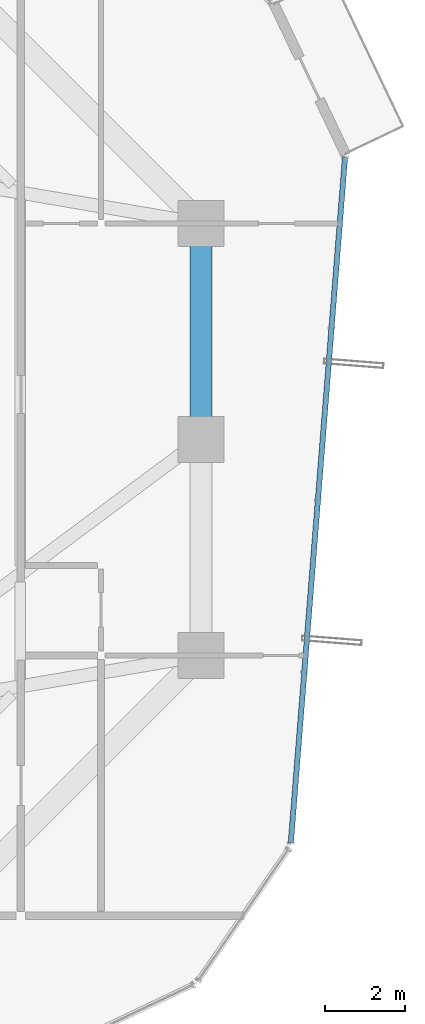
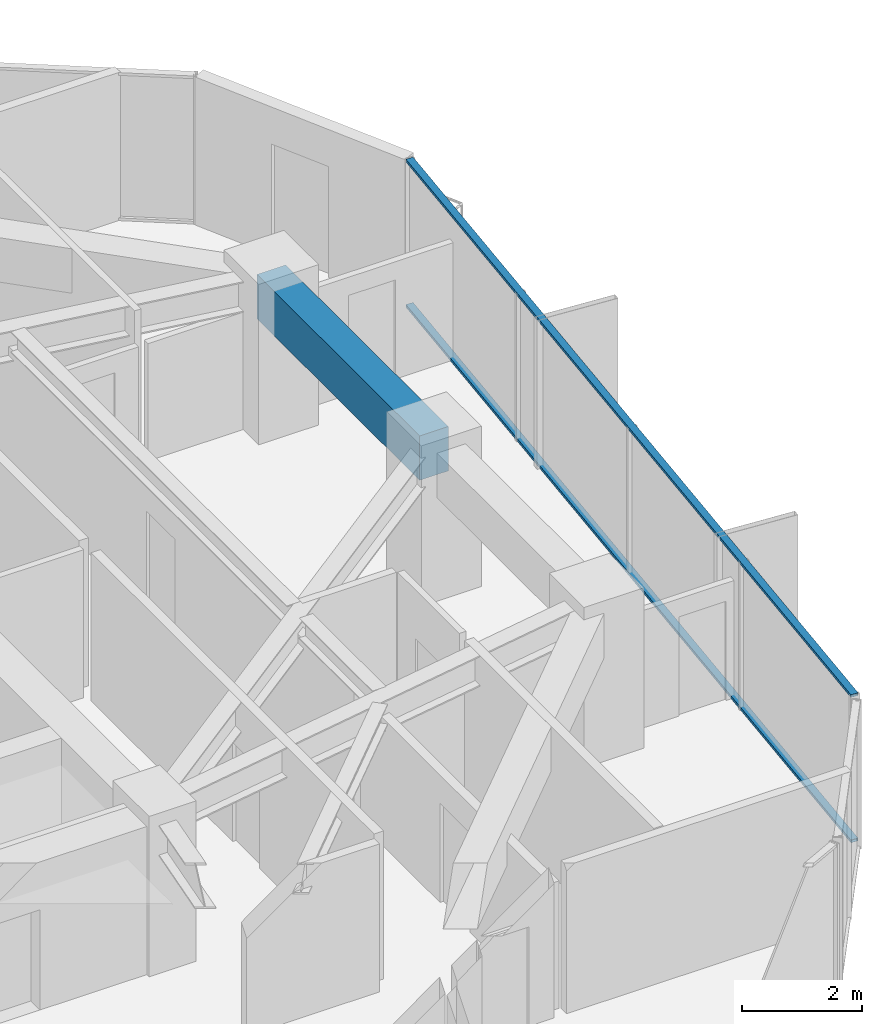
# One storey, part 14 of 30: 2 members, 1 beam, 1 element without a shape of its own.
"""IFC4 building model written with IfcOpenShell, lengths in metres."""

import ifcopenshell
import ifcopenshell.guid

model = None  # the IFC model being written
_history = None  # IfcOwnerHistory: only IFC2X3 demands one
_inside = {}  # id of a spatial element -> (the spatial element, [elements in it])
_under = {}  # id of a project, library or spatial element -> (it, [spatial elements below it])
_declared = {}  # id of a project -> (the project, [libraries it declares])
_typed = {}  # id of a type object -> (the type object, [elements of that type])
_made_of = {}  # id of a material, layer set ... -> (it, [elements and type objects made of it])


def new_model(schema):
    """Start an empty IFC model of exactly this schema.

    Asked for "IFC4X3", IfcOpenShell would pick the latest addendum, in which some entities
    have other attributes; the version numbers below select the first issue.
    IFC2X3 requires an IfcOwnerHistory on every rooted entity: one is made here for all.
    """
    global model, _history
    if schema == "IFC4X3":
        model = ifcopenshell.file(schema_version=(4, 3, 0, 0))
    else:
        model = ifcopenshell.file(schema=schema)
    _inside.clear()
    _under.clear()
    _declared.clear()
    _typed.clear()
    _made_of.clear()
    _history = None
    if model.schema == "IFC2X3":
        org = make("IfcOrganization", Name="unknown")
        user = make(
            "IfcPersonAndOrganization",
            ThePerson=make("IfcPerson", FamilyName="unknown"),
            TheOrganization=org,
        )
        app = make(
            "IfcApplication",
            ApplicationDeveloper=org,
            Version="unknown",
            ApplicationFullName="unknown",
            ApplicationIdentifier="unknown",
        )
        _history = make(
            "IfcOwnerHistory",
            OwningUser=user,
            OwningApplication=app,
            ChangeAction="ADDED",
            CreationDate=0,
        )
    return model


def make(cls, **values):
    """One entity of the class cls with the attributes given. An attribute that is None is left unset."""
    return model.create_entity(
        cls, **{name: value for name, value in values.items() if value is not None}
    )


def rooted(cls, **values):
    """An entity with a GlobalId (a new one), such as an element, a storey or a relation."""
    return make(cls, GlobalId=ifcopenshell.guid.new(), OwnerHistory=_history, **values)


def si_unit(unit_type, name, prefix=None):
    """IfcSIUnit, for example si_unit("LENGTHUNIT", "METRE", prefix="MILLI")."""
    return make("IfcSIUnit", UnitType=unit_type, Prefix=prefix, Name=name)


def assignment(units):
    """IfcUnitAssignment: the units of a project."""
    return None if units is None else make("IfcUnitAssignment", Units=units)


def point(xyz):
    """IfcCartesianPoint."""
    return None if xyz is None else make("IfcCartesianPoint", Coordinates=xyz)


def direction(xyz):
    """IfcDirection."""
    return None if xyz is None else make("IfcDirection", DirectionRatios=xyz)


def frame(location, z_axis=None, x_axis=None):
    """IfcAxis2Placement3D, a coordinate frame: its origin and axes. An axis left out is left unset."""
    return make(
        "IfcAxis2Placement3D",
        Location=point(location),
        Axis=direction(z_axis),
        RefDirection=direction(x_axis),
    )


def frame_2d(location, x_axis=None):
    """IfcAxis2Placement2D, a coordinate frame in the plane: its origin and x axis."""
    return make(
        "IfcAxis2Placement2D", Location=point(location), RefDirection=direction(x_axis)
    )


def origin():
    """The frame at (0, 0, 0) with its axes left unset."""
    return frame((0.0, 0.0, 0.0))


def origin_2d():
    """The frame at (0, 0) in the plane with its x axis left unset."""
    return frame_2d((0.0, 0.0))


def place(relative_to, where):
    """IfcLocalPlacement: puts the frame where relative to a parent placement (None: the world)."""
    return make(
        "IfcLocalPlacement", PlacementRelTo=relative_to, RelativePlacement=where
    )


def context(
    kind, dimensions, precision=None, world=None, true_north=None, identifier=None
):
    """IfcGeometricRepresentationContext, for example the 3D "Model" context."""
    return make(
        "IfcGeometricRepresentationContext",
        ContextIdentifier=identifier,
        ContextType=kind,
        CoordinateSpaceDimension=dimensions,
        Precision=precision,
        WorldCoordinateSystem=world,
        TrueNorth=true_north,
    )


def subcontext(parent, identifier, kind, view, scale=None):
    """IfcGeometricRepresentationSubContext, for example "Body" below "Model"."""
    return make(
        "IfcGeometricRepresentationSubContext",
        ContextIdentifier=identifier,
        ContextType=kind,
        ParentContext=parent,
        TargetScale=scale,
        TargetView=view,
    )


def project(units=None, contexts=None):
    """IfcProject with its units and contexts."""
    return rooted(
        "IfcProject",
        Name="project",
        RepresentationContexts=contexts,
        UnitsInContext=assignment(units),
    )


def spatial(cls, under=None, at=None, **own):
    """A site, building, storey or space (cls), placed at a placement, below another one or the project."""
    s = rooted(cls, ObjectPlacement=at, **own)
    if under is not None:
        _under.setdefault(under.id(), (under, []))[1].append(s)
    return s


def profile(cls, at=None, kind="AREA", **sizes):
    """A parametric profile (cls). Its sizes go by their IFC names, for example OverallWidth=200.0."""
    return make(cls, ProfileType=kind, Position=at, **sizes)


def rectangle(**sizes):
    """IfcRectangleProfileDef."""
    return profile("IfcRectangleProfileDef", **sizes)


def hollow_rectangle(**sizes):
    """IfcRectangleHollowProfileDef."""
    return profile("IfcRectangleHollowProfileDef", **sizes)


def extrude(swept, where, along, depth):
    """IfcExtrudedAreaSolid: the profile swept, set in the frame where, extruded along a direction by depth."""
    return make(
        "IfcExtrudedAreaSolid",
        SweptArea=swept,
        Position=where,
        ExtrudedDirection=direction(along),
        Depth=depth,
    )


def shape(context_of_items, identifier, shape_type, items):
    """IfcShapeRepresentation: the items that make up one representation, for example the "Body"."""
    return make(
        "IfcShapeRepresentation",
        ContextOfItems=context_of_items,
        RepresentationIdentifier=identifier,
        RepresentationType=shape_type,
        Items=items,
    )


def source(mapping_origin, context_of_items, identifier, shape_type, items):
    """IfcRepresentationMap: a shape defined once, which mapped items show again and again."""
    return make(
        "IfcRepresentationMap",
        MappingOrigin=mapping_origin,
        MappedRepresentation=shape(context_of_items, identifier, shape_type, items),
    )


def transform(
    local_origin,
    x_axis=None,
    y_axis=None,
    z_axis=None,
    scale=None,
    scale2=None,
    scale3=None,
    uniform=True,
):
    """IfcCartesianTransformationOperator3D, or its non-uniform kind. x_axis, y_axis, z_axis: its Axis1, 2, 3."""
    if uniform:
        return make(
            "IfcCartesianTransformationOperator3D",
            Axis1=direction(x_axis),
            Axis2=direction(y_axis),
            LocalOrigin=point(local_origin),
            Scale=scale,
            Axis3=direction(z_axis),
        )
    return make(
        "IfcCartesianTransformationOperator3DnonUniform",
        Axis1=direction(x_axis),
        Axis2=direction(y_axis),
        LocalOrigin=point(local_origin),
        Scale=scale,
        Axis3=direction(z_axis),
        Scale2=scale2,
        Scale3=scale3,
    )


def mapped(mapping_source, mapping_target):
    """IfcMappedItem: shows the shape of a source again, moved by a transform."""
    return make(
        "IfcMappedItem", MappingSource=mapping_source, MappingTarget=mapping_target
    )


def material(Name=None, Category=None):
    """IfcMaterial."""
    return make("IfcMaterial", Name=Name, Category=Category)


def layer(
    of_material, thickness, ventilated=None, Name=None, Category=None, Priority=None
):
    """IfcMaterialLayer: one layer of a wall or slab, of a material (None: an air gap)."""
    return make(
        "IfcMaterialLayer",
        Material=of_material,
        LayerThickness=thickness,
        IsVentilated=ventilated,
        Name=Name,
        Category=Category,
        Priority=Priority,
    )


def layer_set(layers, Name=None):
    """IfcMaterialLayerSet."""
    return make("IfcMaterialLayerSet", MaterialLayers=layers, LayerSetName=Name)


def material_profile(
    of_material, cross_section, Name=None, Category=None, Priority=None
):
    """IfcMaterialProfile: a cross section and its material."""
    return make(
        "IfcMaterialProfile",
        Name=Name,
        Material=of_material,
        Profile=cross_section,
        Priority=Priority,
        Category=Category,
    )


def profile_set(profiles, Name=None, composite=None):
    """IfcMaterialProfileSet."""
    return make(
        "IfcMaterialProfileSet",
        Name=Name,
        MaterialProfiles=profiles,
        CompositeProfile=composite,
    )


def made_of(thing, what):
    """Note that an element or type object is made of a material, layer set ...; save() writes the relation."""
    if what is not None:
        _made_of.setdefault(what.id(), (what, []))[1].append(thing)
    return thing


def type_object(cls, material=None, **own):
    """A type object (cls), such as IfcWallType, which elements share."""
    return made_of(rooted(cls, **own), material)


def element(
    cls,
    number,
    at=None,
    inside=None,
    cuts=None,
    type_object=None,
    material=None,
    context=None,
    identifier="Body",
    shape_type=None,
    held_by="IfcProductDefinitionShape",
    body=None,
    shapes=None,
    **own,
):
    """One element of the class cls, such as IfcWall. Its Tag is "e" and its number.

    at: its placement. inside: the storey or other place that contains it. cuts: it is an
    opening in that element (IfcRelVoidsElement). A single representation is given by context,
    identifier, shape_type and body (its items); several are given by shapes. held_by: the class
    of the entity that holds the representations. save() writes the other relations.
    """
    e = rooted(cls, Tag="e%d" % number, ObjectPlacement=at, **own)
    if body is not None:
        shapes = [shape(context, identifier, shape_type, body)]
    if shapes is not None:
        e.Representation = make(held_by, Representations=shapes)
    if inside is not None:
        _inside.setdefault(inside.id(), (inside, []))[1].append(e)
    if cuts is not None:
        rooted(
            "IfcRelVoidsElement", RelatingBuildingElement=cuts, RelatedOpeningElement=e
        )
    if type_object is not None:
        _typed.setdefault(type_object.id(), (type_object, []))[1].append(e)
    return made_of(e, material)


def aggregate(whole, parts):
    """IfcRelAggregates: a whole, such as a stair, and the parts it consists of."""
    return rooted("IfcRelAggregates", RelatingObject=whole, RelatedObjects=parts)


def save(model, path):
    """Write the relations noted so far, then the file.

    IfcRelAggregates (storeys below a building ...), IfcRelContainedInSpatialStructure (elements
    in a storey), IfcRelDefinesByType, IfcRelAssociatesMaterial and IfcRelDeclares: one each for
    every whole, place, type object, material and project.
    """
    for whole, parts in _under.values():
        aggregate(whole, parts)
    for where, things in _inside.values():
        rooted(
            "IfcRelContainedInSpatialStructure",
            RelatedElements=things,
            RelatingStructure=where,
        )
    for kind, things in _typed.values():
        rooted("IfcRelDefinesByType", RelatedObjects=things, RelatingType=kind)
    for what, things in _made_of.values():
        rooted("IfcRelAssociatesMaterial", RelatedObjects=things, RelatingMaterial=what)
    for by, libraries in _declared.values():
        rooted("IfcRelDeclares", RelatingContext=by, RelatedDefinitions=libraries)
    model.write(path)


model = new_model("IFC4")

# Units and contexts
model_context = context("Model", 3, precision=1e-05, world=origin(), true_north=direction((0.0, 1.0)))
body_context = subcontext(model_context, "Body", "Model", "MODEL_VIEW")
ifc_project = project(units=[si_unit("LENGTHUNIT", "METRE"), si_unit("AREAUNIT", "SQUARE_METRE"), si_unit("VOLUMEUNIT", "CUBIC_METRE"), si_unit("PLANEANGLEUNIT", "RADIAN"), si_unit("MASSUNIT", "GRAM", prefix="KILO")], contexts=[model_context])

# Site, building, storey
site_placement = place(None, origin())
site = spatial("IfcSite", under=ifc_project, at=site_placement, CompositionType="ELEMENT")
building_placement = place(site_placement, origin())
building = spatial("IfcBuilding", under=site, at=building_placement, Name="Veraguas Prism Commons", CompositionType="ELEMENT")
storey_placement = place(building_placement, frame((0.0, 0.0, 113.25)))
storey = spatial("IfcBuildingStorey", under=building, at=storey_placement, Name="L31", CompositionType="ELEMENT", Elevation=113.25)

# Beam
ifc_material_1 = material(Name="Concrete C50/60", Category="concrete")
ifc_material_profile_1 = material_profile(ifc_material_1, rectangle(XDim=0.550048828125, YDim=0.89990234375, at=origin_2d()), Name="RC550X900")
ifc_profile_set_1 = profile_set([ifc_material_profile_1], Name="Concrete C50/60")
beam_type = type_object("IfcBeamType", Name="Perimeter Spandrel Lower RC 550x900", PredefinedType="SPANDREL", material=ifc_profile_set_1)
beam_placement = place(storey_placement, frame((40.199951171875, 24.0, 2.550048828125), z_axis=(0.0, 1.0, 0.0), x_axis=(-1.0, 0.0, 0.0)))
element("IfcBeam", 1, at=beam_placement, inside=storey, type_object=beam_type, Name="Perimeter Spandrel Beam L31-SP02", PredefinedType="SPANDREL", context=body_context, shape_type="SweptSolid", body=[
    extrude(rectangle(XDim=0.550048828125, YDim=0.89990234375, at=origin_2d()), origin(), (0.0, 0.0, 1.0), 5.39990234375),
])

# Curtain wall, members
ifc_material_2 = material(Name="Anodised aluminium EN AW-6063 T6", Category="aluminium")
ifc_layer = layer(ifc_material_2, 0.169921875, Name="Unitised Flush Curtain Wall Zone 2", Category="aluminium")
ifc_layer_set = layer_set([ifc_layer], Name="Anodised aluminium EN AW-6063 T6")
curtain_wall_type = type_object("IfcCurtainWallType", Name="Unitised Flush Curtain Wall Zone 2", PredefinedType="NOTDEFINED", material=ifc_layer_set)
curtain_wall_placement = place(storey_placement, origin())
curtain_wall = element("IfcCurtainWall", 2, at=curtain_wall_placement, inside=storey, type_object=curtain_wall_type, Name="Tower Facade Curtain Wall L31-F6", PredefinedType="NOTDEFINED")
ifc_material_profile_2 = material_profile(ifc_material_2, hollow_rectangle(XDim=0.054931640625, YDim=0.135009765625, WallThickness=0.0029296875, at=origin_2d()), Name="AL55X135X3")
ifc_profile_set_2 = profile_set([ifc_material_profile_2], Name="Anodised aluminium EN AW-6063 T6")
member_type = type_object("IfcMemberType", Name="Curtain Wall Transom Standard AL 55x135x3", PredefinedType="USERDEFINED", material=ifc_profile_set_2)
shared_shape = source(origin(), body_context, "Body", "SweptSolid", [
    extrude(hollow_rectangle(XDim=0.054931640625, YDim=0.135009765625, WallThickness=0.0029296875, at=origin_2d()), origin(), (0.0, 0.0, 1.0), 17.174560546875),
])
member_1_placement = place(storey_placement, frame((42.446044921875, 13.927734375, 0.027587890625), z_axis=(0.078809554552, 0.996889690042, 0.0), x_axis=(0.0, 0.0, 1.0)))
member_1 = element("IfcMember", 3, at=member_1_placement, type_object=member_type, Name="CW-Z2 Transom 1", ObjectType="TRANSOM", PredefinedType="USERDEFINED", context=body_context, shape_type="MappedRepresentation", body=[
    mapped(shared_shape, transform((0.0, 0.0, 0.0), scale=1.0)),
])
member_2_placement = place(storey_placement, frame((42.446044921875, 13.927734375, 2.972412109375), z_axis=(0.078809554552, 0.996889690042, 0.0), x_axis=(0.0, 0.0, 1.0)))
member_2 = element("IfcMember", 4, at=member_2_placement, type_object=member_type, Name="CW-Z2 Transom 2", ObjectType="TRANSOM", PredefinedType="USERDEFINED", context=body_context, shape_type="MappedRepresentation", body=[
    mapped(shared_shape, transform((0.0, 0.0, 0.0), scale=1.0)),
])
aggregate(curtain_wall, [member_1, member_2])

save(model, "model.ifc")
